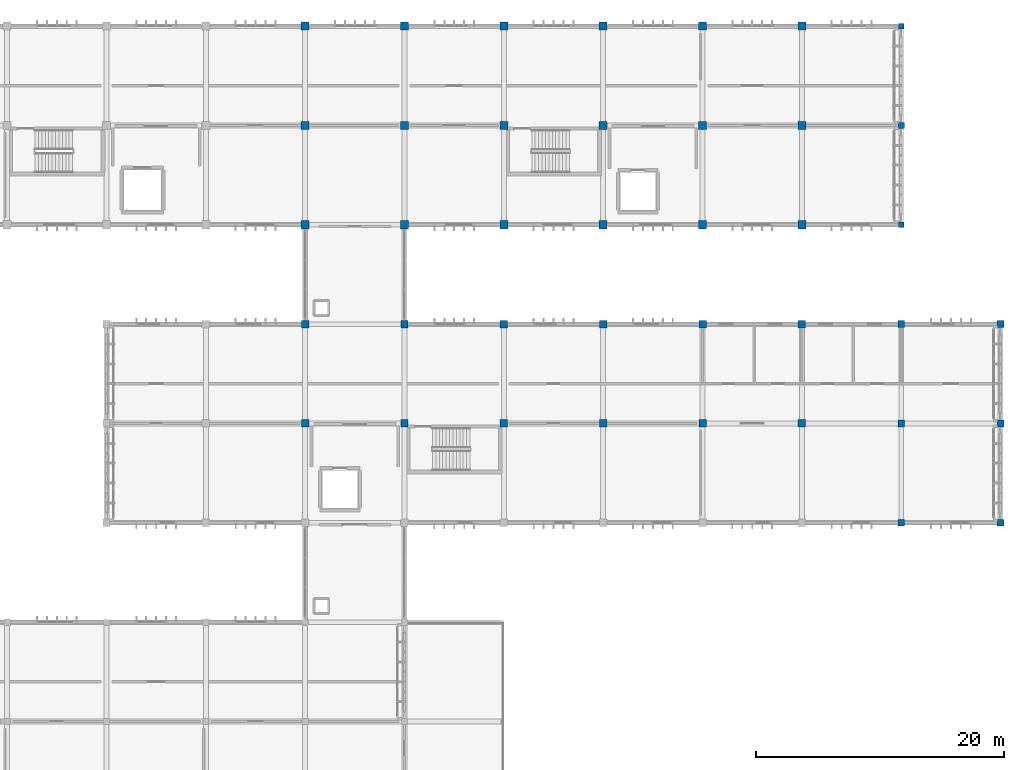
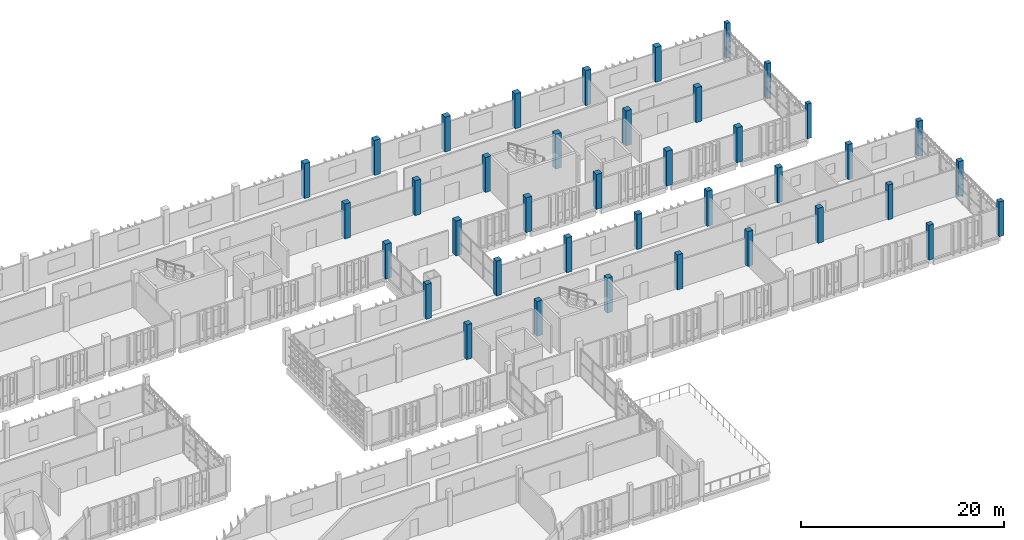
# One storey, part 5 of 63: 39 columns.
"""IFC4 building model written with IfcOpenShell, lengths in metres."""

import ifcopenshell
import ifcopenshell.guid

model = None  # the IFC model being written
_history = None  # IfcOwnerHistory: only IFC2X3 demands one
_inside = {}  # id of a spatial element -> (the spatial element, [elements in it])
_under = {}  # id of a project, library or spatial element -> (it, [spatial elements below it])
_declared = {}  # id of a project -> (the project, [libraries it declares])
_typed = {}  # id of a type object -> (the type object, [elements of that type])
_made_of = {}  # id of a material, layer set ... -> (it, [elements and type objects made of it])


def new_model(schema):
    """Start an empty IFC model of exactly this schema.

    Asked for "IFC4X3", IfcOpenShell would pick the latest addendum, in which some entities
    have other attributes; the version numbers below select the first issue.
    IFC2X3 requires an IfcOwnerHistory on every rooted entity: one is made here for all.
    """
    global model, _history
    if schema == "IFC4X3":
        model = ifcopenshell.file(schema_version=(4, 3, 0, 0))
    else:
        model = ifcopenshell.file(schema=schema)
    _inside.clear()
    _under.clear()
    _declared.clear()
    _typed.clear()
    _made_of.clear()
    _history = None
    if model.schema == "IFC2X3":
        org = make("IfcOrganization", Name="unknown")
        user = make(
            "IfcPersonAndOrganization",
            ThePerson=make("IfcPerson", FamilyName="unknown"),
            TheOrganization=org,
        )
        app = make(
            "IfcApplication",
            ApplicationDeveloper=org,
            Version="unknown",
            ApplicationFullName="unknown",
            ApplicationIdentifier="unknown",
        )
        _history = make(
            "IfcOwnerHistory",
            OwningUser=user,
            OwningApplication=app,
            ChangeAction="ADDED",
            CreationDate=0,
        )
    return model


def make(cls, **values):
    """One entity of the class cls with the attributes given. An attribute that is None is left unset."""
    return model.create_entity(
        cls, **{name: value for name, value in values.items() if value is not None}
    )


def rooted(cls, **values):
    """An entity with a GlobalId (a new one), such as an element, a storey or a relation."""
    return make(cls, GlobalId=ifcopenshell.guid.new(), OwnerHistory=_history, **values)


def si_unit(unit_type, name, prefix=None):
    """IfcSIUnit, for example si_unit("LENGTHUNIT", "METRE", prefix="MILLI")."""
    return make("IfcSIUnit", UnitType=unit_type, Prefix=prefix, Name=name)


def assignment(units):
    """IfcUnitAssignment: the units of a project."""
    return None if units is None else make("IfcUnitAssignment", Units=units)


def point(xyz):
    """IfcCartesianPoint."""
    return None if xyz is None else make("IfcCartesianPoint", Coordinates=xyz)


def direction(xyz):
    """IfcDirection."""
    return None if xyz is None else make("IfcDirection", DirectionRatios=xyz)


def frame(location, z_axis=None, x_axis=None):
    """IfcAxis2Placement3D, a coordinate frame: its origin and axes. An axis left out is left unset."""
    return make(
        "IfcAxis2Placement3D",
        Location=point(location),
        Axis=direction(z_axis),
        RefDirection=direction(x_axis),
    )


def frame_2d(location, x_axis=None):
    """IfcAxis2Placement2D, a coordinate frame in the plane: its origin and x axis."""
    return make(
        "IfcAxis2Placement2D", Location=point(location), RefDirection=direction(x_axis)
    )


def origin():
    """The frame at (0, 0, 0) with its axes left unset."""
    return frame((0.0, 0.0, 0.0))


def origin_2d():
    """The frame at (0, 0) in the plane with its x axis left unset."""
    return frame_2d((0.0, 0.0))


def place(relative_to, where):
    """IfcLocalPlacement: puts the frame where relative to a parent placement (None: the world)."""
    return make(
        "IfcLocalPlacement", PlacementRelTo=relative_to, RelativePlacement=where
    )


def context(
    kind, dimensions, precision=None, world=None, true_north=None, identifier=None
):
    """IfcGeometricRepresentationContext, for example the 3D "Model" context."""
    return make(
        "IfcGeometricRepresentationContext",
        ContextIdentifier=identifier,
        ContextType=kind,
        CoordinateSpaceDimension=dimensions,
        Precision=precision,
        WorldCoordinateSystem=world,
        TrueNorth=true_north,
    )


def subcontext(parent, identifier, kind, view, scale=None):
    """IfcGeometricRepresentationSubContext, for example "Body" below "Model"."""
    return make(
        "IfcGeometricRepresentationSubContext",
        ContextIdentifier=identifier,
        ContextType=kind,
        ParentContext=parent,
        TargetScale=scale,
        TargetView=view,
    )


def project(units=None, contexts=None):
    """IfcProject with its units and contexts."""
    return rooted(
        "IfcProject",
        Name="project",
        RepresentationContexts=contexts,
        UnitsInContext=assignment(units),
    )


def spatial(cls, under=None, at=None, **own):
    """A site, building, storey or space (cls), placed at a placement, below another one or the project."""
    s = rooted(cls, ObjectPlacement=at, **own)
    if under is not None:
        _under.setdefault(under.id(), (under, []))[1].append(s)
    return s


def profile(cls, at=None, kind="AREA", **sizes):
    """A parametric profile (cls). Its sizes go by their IFC names, for example OverallWidth=200.0."""
    return make(cls, ProfileType=kind, Position=at, **sizes)


def rectangle(**sizes):
    """IfcRectangleProfileDef."""
    return profile("IfcRectangleProfileDef", **sizes)


def extrude(swept, where, along, depth):
    """IfcExtrudedAreaSolid: the profile swept, set in the frame where, extruded along a direction by depth."""
    return make(
        "IfcExtrudedAreaSolid",
        SweptArea=swept,
        Position=where,
        ExtrudedDirection=direction(along),
        Depth=depth,
    )


def shape(context_of_items, identifier, shape_type, items):
    """IfcShapeRepresentation: the items that make up one representation, for example the "Body"."""
    return make(
        "IfcShapeRepresentation",
        ContextOfItems=context_of_items,
        RepresentationIdentifier=identifier,
        RepresentationType=shape_type,
        Items=items,
    )


def material(Name=None, Category=None):
    """IfcMaterial."""
    return make("IfcMaterial", Name=Name, Category=Category)


def material_profile(
    of_material, cross_section, Name=None, Category=None, Priority=None
):
    """IfcMaterialProfile: a cross section and its material."""
    return make(
        "IfcMaterialProfile",
        Name=Name,
        Material=of_material,
        Profile=cross_section,
        Priority=Priority,
        Category=Category,
    )


def profile_set(profiles, Name=None, composite=None):
    """IfcMaterialProfileSet."""
    return make(
        "IfcMaterialProfileSet",
        Name=Name,
        MaterialProfiles=profiles,
        CompositeProfile=composite,
    )


def made_of(thing, what):
    """Note that an element or type object is made of a material, layer set ...; save() writes the relation."""
    if what is not None:
        _made_of.setdefault(what.id(), (what, []))[1].append(thing)
    return thing


def type_object(cls, material=None, **own):
    """A type object (cls), such as IfcWallType, which elements share."""
    return made_of(rooted(cls, **own), material)


def element(
    cls,
    number,
    at=None,
    inside=None,
    cuts=None,
    type_object=None,
    material=None,
    context=None,
    identifier="Body",
    shape_type=None,
    held_by="IfcProductDefinitionShape",
    body=None,
    shapes=None,
    **own,
):
    """One element of the class cls, such as IfcWall. Its Tag is "e" and its number.

    at: its placement. inside: the storey or other place that contains it. cuts: it is an
    opening in that element (IfcRelVoidsElement). A single representation is given by context,
    identifier, shape_type and body (its items); several are given by shapes. held_by: the class
    of the entity that holds the representations. save() writes the other relations.
    """
    e = rooted(cls, Tag="e%d" % number, ObjectPlacement=at, **own)
    if body is not None:
        shapes = [shape(context, identifier, shape_type, body)]
    if shapes is not None:
        e.Representation = make(held_by, Representations=shapes)
    if inside is not None:
        _inside.setdefault(inside.id(), (inside, []))[1].append(e)
    if cuts is not None:
        rooted(
            "IfcRelVoidsElement", RelatingBuildingElement=cuts, RelatedOpeningElement=e
        )
    if type_object is not None:
        _typed.setdefault(type_object.id(), (type_object, []))[1].append(e)
    return made_of(e, material)


def aggregate(whole, parts):
    """IfcRelAggregates: a whole, such as a stair, and the parts it consists of."""
    return rooted("IfcRelAggregates", RelatingObject=whole, RelatedObjects=parts)


def save(model, path):
    """Write the relations noted so far, then the file.

    IfcRelAggregates (storeys below a building ...), IfcRelContainedInSpatialStructure (elements
    in a storey), IfcRelDefinesByType, IfcRelAssociatesMaterial and IfcRelDeclares: one each for
    every whole, place, type object, material and project.
    """
    for whole, parts in _under.values():
        aggregate(whole, parts)
    for where, things in _inside.values():
        rooted(
            "IfcRelContainedInSpatialStructure",
            RelatedElements=things,
            RelatingStructure=where,
        )
    for kind, things in _typed.values():
        rooted("IfcRelDefinesByType", RelatedObjects=things, RelatingType=kind)
    for what, things in _made_of.values():
        rooted("IfcRelAssociatesMaterial", RelatedObjects=things, RelatingMaterial=what)
    for by, libraries in _declared.values():
        rooted("IfcRelDeclares", RelatingContext=by, RelatedDefinitions=libraries)
    model.write(path)


model = new_model("IFC4")

# Units and contexts
model_context = context("Model", 3, precision=1e-05, world=origin(), true_north=direction((0.0, 1.0)))
body_context = subcontext(model_context, "Body", "Model", "MODEL_VIEW")
ifc_project = project(units=[si_unit("LENGTHUNIT", "METRE"), si_unit("AREAUNIT", "SQUARE_METRE"), si_unit("VOLUMEUNIT", "CUBIC_METRE"), si_unit("PLANEANGLEUNIT", "RADIAN"), si_unit("MASSUNIT", "GRAM", prefix="KILO")], contexts=[model_context])

# Site, building, storey
site_placement = place(None, origin())
site = spatial("IfcSite", under=ifc_project, at=site_placement, CompositionType="ELEMENT")
building_placement = place(site_placement, origin())
building = spatial("IfcBuilding", under=site, at=building_placement, Name="Jelvoka-Kovrelna Polytechnic", CompositionType="ELEMENT")
storey_placement = place(building_placement, frame((0.0, 0.0, 18.0)))
storey = spatial("IfcBuildingStorey", under=building, at=storey_placement, Name="L05", CompositionType="ELEMENT", Elevation=18.0)

# Columns
ifc_material_1 = material(Name="Concrete C40/50", Category="concrete")
ifc_material_profile_1 = material_profile(ifc_material_1, rectangle(XDim=0.449951171875, YDim=0.449951171875, at=origin_2d()), Name="RC 450x450")
ifc_profile_set_1 = profile_set([ifc_material_profile_1], Name="Concrete C40/50")
column_type_1 = type_object("IfcColumnType", Name="Col_RC_450", PredefinedType="COLUMN", material=ifc_profile_set_1)
for number, where, z_axis, x_axis, name in (
    (1, (192.0, 56.0, 0.0), (0.0, 0.0, 1.0), (1.0, 0.0, 0.0), "L05 column 1132"),
    (2, (192.0, 72.0, 0.0), (0.0, 0.0, 1.0), (1.0, 0.0, 0.0), "L05 column 1460"),
):
    element("IfcColumn", number, at=place(storey_placement, frame(where, z_axis=z_axis, x_axis=x_axis)), inside=storey, type_object=column_type_1, Name=name, PredefinedType="COLUMN", context=body_context, shape_type="SweptSolid", body=[
        extrude(rectangle(XDim=0.449951171875, YDim=0.449951171875, at=origin_2d()), origin(), (0.0, 0.0, 1.0), 4.199951171875),
    ])
ifc_material_2 = material(Name="Concrete C40/50", Category="concrete")
ifc_material_profile_2 = material_profile(ifc_material_2, rectangle(XDim=0.5, YDim=0.5, at=origin_2d()), Name="RC 500x500")
ifc_profile_set_2 = profile_set([ifc_material_profile_2], Name="Concrete C40/50")
column_type_2 = type_object("IfcColumnType", Name="Col_RC_500", PredefinedType="COLUMN", material=ifc_profile_set_2)
column_placement = place(storey_placement, frame((192.0, 64.0, 0.0), z_axis=(0.0, 0.0, 1.0), x_axis=(1.0, 0.0, 0.0)))
element("IfcColumn", 3, at=column_placement, inside=storey, type_object=column_type_2, Name="L05 column 1299", PredefinedType="COLUMN", context=body_context, shape_type="SweptSolid", body=[
    extrude(rectangle(XDim=0.5, YDim=0.5, at=origin_2d()), origin(), (0.0, 0.0, 1.0), 4.199951171875),
])
ifc_material_3 = material(Name="Concrete C40/50", Category="concrete")
ifc_material_profile_3 = material_profile(ifc_material_3, rectangle(XDim=0.550048828125, YDim=0.550048828125, at=origin_2d()), Name="RC 550x550")
ifc_profile_set_3 = profile_set([ifc_material_profile_3], Name="Concrete C40/50")
column_type_3 = type_object("IfcColumnType", Name="Col_RC_550", PredefinedType="COLUMN", material=ifc_profile_set_3)
for number, where, z_axis, x_axis, name in (
    (4, (192.0, 32.0, 0.0), (0.0, 0.0, 1.0), (1.0, 0.0, 0.0), "L05 column 0563"),
    (5, (200.0, 32.0, 0.0), (0.0, 0.0, 1.0), (1.0, 0.0, 0.0), "L05 column 0570"),
    (6, (192.0, 40.0, 0.0), (0.0, 0.0, 1.0), (1.0, 0.0, 0.0), "L05 column 0745"),
    (7, (200.0, 40.0, 0.0), (0.0, 0.0, 1.0), (1.0, 0.0, 0.0), "L05 column 0752"),
    (8, (192.0, 48.0, 0.0), (0.0, 0.0, 1.0), (1.0, 0.0, 0.0), "L05 column 0909"),
    (9, (200.0, 48.0, 0.0), (0.0, 0.0, 1.0), (1.0, 0.0, 0.0), "L05 column 0916"),
):
    element("IfcColumn", number, at=place(storey_placement, frame(where, z_axis=z_axis, x_axis=x_axis)), inside=storey, type_object=column_type_3, Name=name, PredefinedType="COLUMN", context=body_context, shape_type="SweptSolid", body=[
        extrude(rectangle(XDim=0.550048828125, YDim=0.550048828125, at=origin_2d()), origin(), (0.0, 0.0, 1.0), 4.199951171875),
    ])
ifc_material_4 = material(Name="Concrete C40/50", Category="concrete")
ifc_material_profile_4 = material_profile(ifc_material_4, rectangle(XDim=0.60009765625, YDim=0.60009765625, at=origin_2d()), Name="RC 600x600")
ifc_profile_set_4 = profile_set([ifc_material_profile_4], Name="Concrete C40/50")
column_type_4 = type_object("IfcColumnType", Name="Col_RC_600", PredefinedType="COLUMN", material=ifc_profile_set_4)
for number, where, z_axis, x_axis, name in (
    (10, (144.0, 40.0, 0.0), (0.0, 0.0, 1.0), (1.0, 0.0, 0.0), "L05 column 0697"),
    (11, (152.0, 40.0, 0.0), (0.0, 0.0, 1.0), (1.0, 0.0, 0.0), "L05 column 0705"),
    (12, (160.0, 40.0, 0.0), (0.0, 0.0, 1.0), (1.0, 0.0, 0.0), "L05 column 0713"),
    (13, (168.0, 40.0, 0.0), (0.0, 0.0, 1.0), (1.0, 0.0, 0.0), "L05 column 0721"),
    (14, (176.0, 40.0, 0.0), (0.0, 0.0, 1.0), (1.0, 0.0, 0.0), "L05 column 0729"),
    (15, (184.0, 40.0, 0.0), (0.0, 0.0, 1.0), (1.0, 0.0, 0.0), "L05 column 0737"),
    (16, (144.0, 48.0, 0.0), (0.0, 0.0, 1.0), (1.0, 0.0, 0.0), "L05 column 0861"),
    (17, (152.0, 48.0, 0.0), (0.0, 0.0, 1.0), (1.0, 0.0, 0.0), "L05 column 0869"),
    (18, (160.0, 48.0, 0.0), (0.0, 0.0, 1.0), (1.0, 0.0, 0.0), "L05 column 0877"),
    (19, (168.0, 48.0, 0.0), (0.0, 0.0, 1.0), (1.0, 0.0, 0.0), "L05 column 0885"),
    (20, (176.0, 48.0, 0.0), (0.0, 0.0, 1.0), (1.0, 0.0, 0.0), "L05 column 0893"),
    (21, (184.0, 48.0, 0.0), (0.0, 0.0, 1.0), (1.0, 0.0, 0.0), "L05 column 0901"),
):
    element("IfcColumn", number, at=place(storey_placement, frame(where, z_axis=z_axis, x_axis=x_axis)), inside=storey, type_object=column_type_4, Name=name, PredefinedType="COLUMN", context=body_context, shape_type="SweptSolid", body=[
        extrude(rectangle(XDim=0.60009765625, YDim=0.60009765625, at=origin_2d()), origin(), (0.0, 0.0, 1.0), 4.199951171875),
    ])
ifc_material_5 = material(Name="Concrete C40/50", Category="concrete")
ifc_material_profile_5 = material_profile(ifc_material_5, rectangle(XDim=0.64990234375, YDim=0.64990234375, at=origin_2d()), Name="RC 650x650")
ifc_profile_set_5 = profile_set([ifc_material_profile_5], Name="Concrete C40/50")
column_type_5 = type_object("IfcColumnType", Name="Col_RC_650", PredefinedType="COLUMN", material=ifc_profile_set_5)
for number, where, z_axis, x_axis, name in (
    (22, (144.0, 56.0, 0.0), (0.0, 0.0, 1.0), (1.0, 0.0, 0.0), "L05 column 1078"),
    (23, (152.0, 56.0, 0.0), (0.0, 0.0, 1.0), (1.0, 0.0, 0.0), "L05 column 1087"),
    (24, (160.0, 56.0, 0.0), (0.0, 0.0, 1.0), (1.0, 0.0, 0.0), "L05 column 1096"),
    (25, (168.0, 56.0, 0.0), (0.0, 0.0, 1.0), (1.0, 0.0, 0.0), "L05 column 1105"),
    (26, (176.0, 56.0, 0.0), (0.0, 0.0, 1.0), (1.0, 0.0, 0.0), "L05 column 1114"),
    (27, (184.0, 56.0, 0.0), (0.0, 0.0, 1.0), (1.0, 0.0, 0.0), "L05 column 1123"),
    (28, (144.0, 64.0, 0.0), (0.0, 0.0, 1.0), (1.0, 0.0, 0.0), "L05 column 1245"),
    (29, (152.0, 64.0, 0.0), (0.0, 0.0, 1.0), (1.0, 0.0, 0.0), "L05 column 1254"),
    (30, (160.0, 64.0, 0.0), (0.0, 0.0, 1.0), (1.0, 0.0, 0.0), "L05 column 1263"),
    (31, (168.0, 64.0, 0.0), (0.0, 0.0, 1.0), (1.0, 0.0, 0.0), "L05 column 1272"),
    (32, (176.0, 64.0, 0.0), (0.0, 0.0, 1.0), (1.0, 0.0, 0.0), "L05 column 1281"),
    (33, (184.0, 64.0, 0.0), (0.0, 0.0, 1.0), (1.0, 0.0, 0.0), "L05 column 1290"),
    (34, (144.0, 72.0, 0.0), (0.0, 0.0, 1.0), (1.0, 0.0, 0.0), "L05 column 1406"),
    (35, (152.0, 72.0, 0.0), (0.0, 0.0, 1.0), (1.0, 0.0, 0.0), "L05 column 1415"),
    (36, (160.0, 72.0, 0.0), (0.0, 0.0, 1.0), (1.0, 0.0, 0.0), "L05 column 1424"),
    (37, (168.0, 72.0, 0.0), (0.0, 0.0, 1.0), (1.0, 0.0, 0.0), "L05 column 1433"),
    (38, (176.0, 72.0, 0.0), (0.0, 0.0, 1.0), (1.0, 0.0, 0.0), "L05 column 1442"),
    (39, (184.0, 72.0, 0.0), (0.0, 0.0, 1.0), (1.0, 0.0, 0.0), "L05 column 1451"),
):
    element("IfcColumn", number, at=place(storey_placement, frame(where, z_axis=z_axis, x_axis=x_axis)), inside=storey, type_object=column_type_5, Name=name, PredefinedType="COLUMN", context=body_context, shape_type="SweptSolid", body=[
        extrude(rectangle(XDim=0.64990234375, YDim=0.64990234375, at=origin_2d()), origin(), (0.0, 0.0, 1.0), 4.199951171875),
    ])

save(model, "model.ifc")
